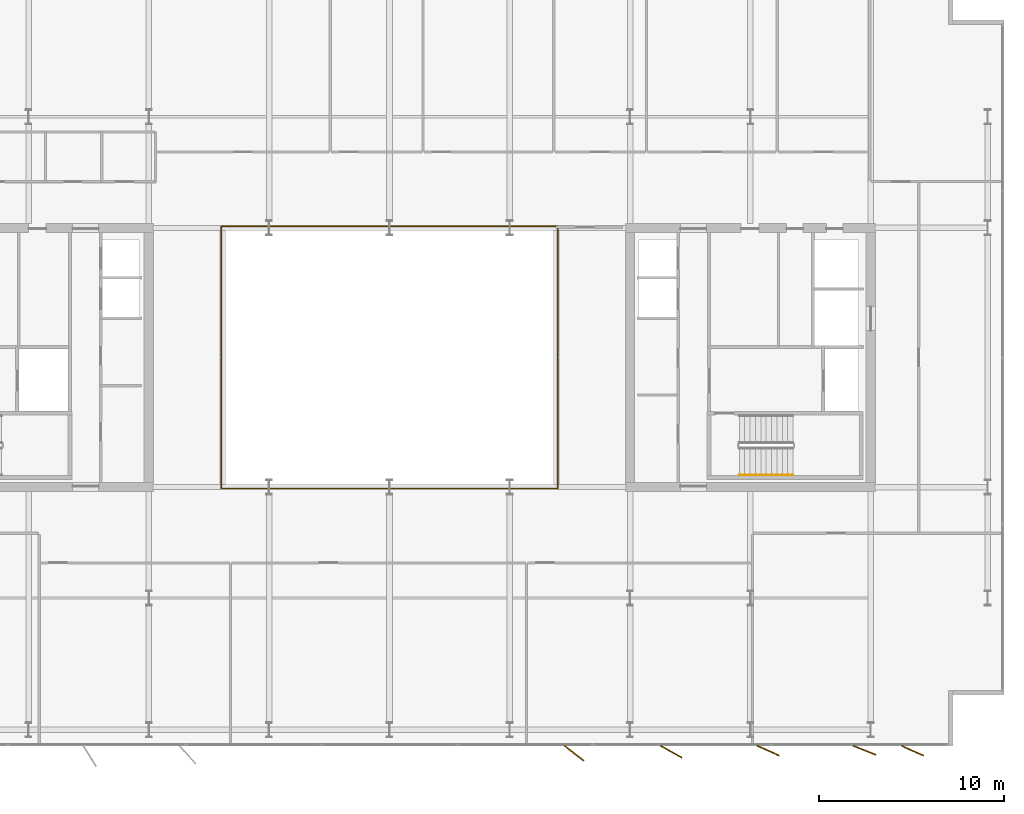
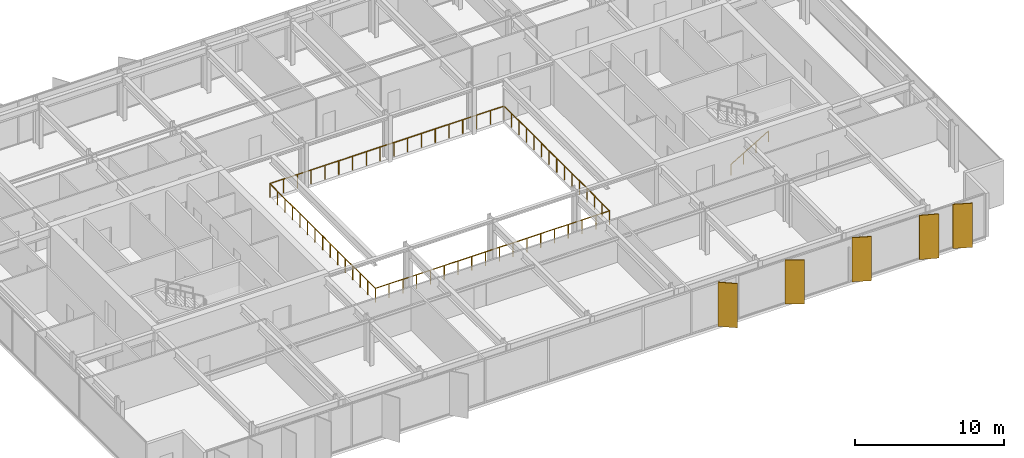
# One storey, part 21 of 23: 5 shading devices, 3 railings.
"""IFC4 building model written with IfcOpenShell, lengths in metres."""

import ifcopenshell
import ifcopenshell.guid

model = None  # the IFC model being written
_history = None  # IfcOwnerHistory: only IFC2X3 demands one
_inside = {}  # id of a spatial element -> (the spatial element, [elements in it])
_under = {}  # id of a project, library or spatial element -> (it, [spatial elements below it])
_declared = {}  # id of a project -> (the project, [libraries it declares])
_typed = {}  # id of a type object -> (the type object, [elements of that type])
_made_of = {}  # id of a material, layer set ... -> (it, [elements and type objects made of it])


def new_model(schema):
    """Start an empty IFC model of exactly this schema.

    Asked for "IFC4X3", IfcOpenShell would pick the latest addendum, in which some entities
    have other attributes; the version numbers below select the first issue.
    IFC2X3 requires an IfcOwnerHistory on every rooted entity: one is made here for all.
    """
    global model, _history
    if schema == "IFC4X3":
        model = ifcopenshell.file(schema_version=(4, 3, 0, 0))
    else:
        model = ifcopenshell.file(schema=schema)
    _inside.clear()
    _under.clear()
    _declared.clear()
    _typed.clear()
    _made_of.clear()
    _history = None
    if model.schema == "IFC2X3":
        org = make("IfcOrganization", Name="unknown")
        user = make(
            "IfcPersonAndOrganization",
            ThePerson=make("IfcPerson", FamilyName="unknown"),
            TheOrganization=org,
        )
        app = make(
            "IfcApplication",
            ApplicationDeveloper=org,
            Version="unknown",
            ApplicationFullName="unknown",
            ApplicationIdentifier="unknown",
        )
        _history = make(
            "IfcOwnerHistory",
            OwningUser=user,
            OwningApplication=app,
            ChangeAction="ADDED",
            CreationDate=0,
        )
    return model


def make(cls, **values):
    """One entity of the class cls with the attributes given. An attribute that is None is left unset."""
    return model.create_entity(
        cls, **{name: value for name, value in values.items() if value is not None}
    )


def rooted(cls, **values):
    """An entity with a GlobalId (a new one), such as an element, a storey or a relation."""
    return make(cls, GlobalId=ifcopenshell.guid.new(), OwnerHistory=_history, **values)


def si_unit(unit_type, name, prefix=None):
    """IfcSIUnit, for example si_unit("LENGTHUNIT", "METRE", prefix="MILLI")."""
    return make("IfcSIUnit", UnitType=unit_type, Prefix=prefix, Name=name)


def assignment(units):
    """IfcUnitAssignment: the units of a project."""
    return None if units is None else make("IfcUnitAssignment", Units=units)


def point(xyz):
    """IfcCartesianPoint."""
    return None if xyz is None else make("IfcCartesianPoint", Coordinates=xyz)


def direction(xyz):
    """IfcDirection."""
    return None if xyz is None else make("IfcDirection", DirectionRatios=xyz)


def frame(location, z_axis=None, x_axis=None):
    """IfcAxis2Placement3D, a coordinate frame: its origin and axes. An axis left out is left unset."""
    return make(
        "IfcAxis2Placement3D",
        Location=point(location),
        Axis=direction(z_axis),
        RefDirection=direction(x_axis),
    )


def frame_2d(location, x_axis=None):
    """IfcAxis2Placement2D, a coordinate frame in the plane: its origin and x axis."""
    return make(
        "IfcAxis2Placement2D", Location=point(location), RefDirection=direction(x_axis)
    )


def origin():
    """The frame at (0, 0, 0) with its axes left unset."""
    return frame((0.0, 0.0, 0.0))


def origin_2d():
    """The frame at (0, 0) in the plane with its x axis left unset."""
    return frame_2d((0.0, 0.0))


def place(relative_to, where):
    """IfcLocalPlacement: puts the frame where relative to a parent placement (None: the world)."""
    return make(
        "IfcLocalPlacement", PlacementRelTo=relative_to, RelativePlacement=where
    )


def context(
    kind, dimensions, precision=None, world=None, true_north=None, identifier=None
):
    """IfcGeometricRepresentationContext, for example the 3D "Model" context."""
    return make(
        "IfcGeometricRepresentationContext",
        ContextIdentifier=identifier,
        ContextType=kind,
        CoordinateSpaceDimension=dimensions,
        Precision=precision,
        WorldCoordinateSystem=world,
        TrueNorth=true_north,
    )


def subcontext(parent, identifier, kind, view, scale=None):
    """IfcGeometricRepresentationSubContext, for example "Body" below "Model"."""
    return make(
        "IfcGeometricRepresentationSubContext",
        ContextIdentifier=identifier,
        ContextType=kind,
        ParentContext=parent,
        TargetScale=scale,
        TargetView=view,
    )


def project(units=None, contexts=None):
    """IfcProject with its units and contexts."""
    return rooted(
        "IfcProject",
        Name="project",
        RepresentationContexts=contexts,
        UnitsInContext=assignment(units),
    )


def spatial(cls, under=None, at=None, **own):
    """A site, building, storey or space (cls), placed at a placement, below another one or the project."""
    s = rooted(cls, ObjectPlacement=at, **own)
    if under is not None:
        _under.setdefault(under.id(), (under, []))[1].append(s)
    return s


def profile(cls, at=None, kind="AREA", **sizes):
    """A parametric profile (cls). Its sizes go by their IFC names, for example OverallWidth=200.0."""
    return make(cls, ProfileType=kind, Position=at, **sizes)


def rectangle(**sizes):
    """IfcRectangleProfileDef."""
    return profile("IfcRectangleProfileDef", **sizes)


def circle(**sizes):
    """IfcCircleProfileDef."""
    return profile("IfcCircleProfileDef", **sizes)


def extrude(swept, where, along, depth):
    """IfcExtrudedAreaSolid: the profile swept, set in the frame where, extruded along a direction by depth."""
    return make(
        "IfcExtrudedAreaSolid",
        SweptArea=swept,
        Position=where,
        ExtrudedDirection=direction(along),
        Depth=depth,
    )


def shape(context_of_items, identifier, shape_type, items):
    """IfcShapeRepresentation: the items that make up one representation, for example the "Body"."""
    return make(
        "IfcShapeRepresentation",
        ContextOfItems=context_of_items,
        RepresentationIdentifier=identifier,
        RepresentationType=shape_type,
        Items=items,
    )


def material(Name=None, Category=None):
    """IfcMaterial."""
    return make("IfcMaterial", Name=Name, Category=Category)


def layer(
    of_material, thickness, ventilated=None, Name=None, Category=None, Priority=None
):
    """IfcMaterialLayer: one layer of a wall or slab, of a material (None: an air gap)."""
    return make(
        "IfcMaterialLayer",
        Material=of_material,
        LayerThickness=thickness,
        IsVentilated=ventilated,
        Name=Name,
        Category=Category,
        Priority=Priority,
    )


def layer_set(layers, Name=None):
    """IfcMaterialLayerSet."""
    return make("IfcMaterialLayerSet", MaterialLayers=layers, LayerSetName=Name)


def made_of(thing, what):
    """Note that an element or type object is made of a material, layer set ...; save() writes the relation."""
    if what is not None:
        _made_of.setdefault(what.id(), (what, []))[1].append(thing)
    return thing


def type_object(cls, material=None, **own):
    """A type object (cls), such as IfcWallType, which elements share."""
    return made_of(rooted(cls, **own), material)


def element(
    cls,
    number,
    at=None,
    inside=None,
    cuts=None,
    type_object=None,
    material=None,
    context=None,
    identifier="Body",
    shape_type=None,
    held_by="IfcProductDefinitionShape",
    body=None,
    shapes=None,
    **own,
):
    """One element of the class cls, such as IfcWall. Its Tag is "e" and its number.

    at: its placement. inside: the storey or other place that contains it. cuts: it is an
    opening in that element (IfcRelVoidsElement). A single representation is given by context,
    identifier, shape_type and body (its items); several are given by shapes. held_by: the class
    of the entity that holds the representations. save() writes the other relations.
    """
    e = rooted(cls, Tag="e%d" % number, ObjectPlacement=at, **own)
    if body is not None:
        shapes = [shape(context, identifier, shape_type, body)]
    if shapes is not None:
        e.Representation = make(held_by, Representations=shapes)
    if inside is not None:
        _inside.setdefault(inside.id(), (inside, []))[1].append(e)
    if cuts is not None:
        rooted(
            "IfcRelVoidsElement", RelatingBuildingElement=cuts, RelatedOpeningElement=e
        )
    if type_object is not None:
        _typed.setdefault(type_object.id(), (type_object, []))[1].append(e)
    return made_of(e, material)


def aggregate(whole, parts):
    """IfcRelAggregates: a whole, such as a stair, and the parts it consists of."""
    return rooted("IfcRelAggregates", RelatingObject=whole, RelatedObjects=parts)


def save(model, path):
    """Write the relations noted so far, then the file.

    IfcRelAggregates (storeys below a building ...), IfcRelContainedInSpatialStructure (elements
    in a storey), IfcRelDefinesByType, IfcRelAssociatesMaterial and IfcRelDeclares: one each for
    every whole, place, type object, material and project.
    """
    for whole, parts in _under.values():
        aggregate(whole, parts)
    for where, things in _inside.values():
        rooted(
            "IfcRelContainedInSpatialStructure",
            RelatedElements=things,
            RelatingStructure=where,
        )
    for kind, things in _typed.values():
        rooted("IfcRelDefinesByType", RelatedObjects=things, RelatingType=kind)
    for what, things in _made_of.values():
        rooted("IfcRelAssociatesMaterial", RelatedObjects=things, RelatingMaterial=what)
    for by, libraries in _declared.values():
        rooted("IfcRelDeclares", RelatingContext=by, RelatedDefinitions=libraries)
    model.write(path)


model = new_model("IFC4")

# Units and contexts
model_context = context("Model", 3, precision=1e-05, world=origin(), true_north=direction((0.0, 1.0)))
body_context = subcontext(model_context, "Body", "Model", "MODEL_VIEW")
ifc_project = project(units=[si_unit("LENGTHUNIT", "METRE"), si_unit("AREAUNIT", "SQUARE_METRE"), si_unit("VOLUMEUNIT", "CUBIC_METRE"), si_unit("PLANEANGLEUNIT", "RADIAN"), si_unit("MASSUNIT", "GRAM", prefix="KILO")], contexts=[model_context])

# Site, building, storey
site_placement = place(None, origin())
site = spatial("IfcSite", under=ifc_project, at=site_placement, CompositionType="ELEMENT")
building_placement = place(site_placement, origin())
building = spatial("IfcBuilding", under=site, at=building_placement, Name="Putna Gate Headquarters", CompositionType="ELEMENT")
storey_placement = place(building_placement, frame((0.0, 0.0, 229.0)))
storey = spatial("IfcBuildingStorey", under=building, at=storey_placement, Name="L57", CompositionType="ELEMENT", Elevation=229.0)

# Railings
ifc_material_1 = material(Name="Anodised bronze and laminated glass atrium balustrade", Category="glass")
railing_type_1 = type_object("IfcRailingType", Name="RAIL-ATRIUM-GUARD-1150", PredefinedType="GUARDRAIL", material=ifc_material_1)
railing_1_placement = place(storey_placement, frame((29.919921875, 25.969970703125, 0.0)))
element("IfcRailing", 1, at=railing_1_placement, inside=storey, type_object=railing_type_1, Name="L57 Central Atrium Glazed Balustrade South", PredefinedType="GUARDRAIL", context=body_context, shape_type="SweptSolid", body=[
    extrude(circle(Radius=0.02392578125, at=origin_2d()), frame((0.0, 0.0, 1.1259765625), z_axis=(0.0, -1.0, 0.0), x_axis=(1.0, 0.0, 0.0)), (0.0, 0.0, 1.0), 7.050048828125),
    extrude(circle(Radius=0.02392578125, at=origin_2d()), frame((0.0, -7.050048828125, 1.1259765625), z_axis=(1.0, 0.0, 0.0), x_axis=(0.0, 1.0, 0.0)), (0.0, 0.0, 1.0), 18.16015625),
    extrude(circle(Radius=0.02392578125, at=origin_2d()), frame((18.16015625, -7.050048828125, 1.1259765625), z_axis=(0.0, 1.0, 0.0), x_axis=(-1.0, 0.0, 0.0)), (0.0, 0.0, 1.0), 7.050048828125),
    extrude(circle(Radius=0.02099609375, at=origin_2d()), origin(), (0.0, 0.0, 1.0), 1.101806640625),
    extrude(circle(Radius=0.02099609375, at=origin_2d()), frame((0.0, -1.007080078125, 0.0)), (0.0, 0.0, 1.0), 1.101806640625),
    extrude(circle(Radius=0.02099609375, at=origin_2d()), frame((0.0, -2.014404296875, 0.0)), (0.0, 0.0, 1.0), 1.101806640625),
    extrude(circle(Radius=0.02099609375, at=origin_2d()), frame((0.0, -3.021484375, 0.0)), (0.0, 0.0, 1.0), 1.101806640625),
    extrude(circle(Radius=0.02099609375, at=origin_2d()), frame((0.0, -4.028564453125, 0.0)), (0.0, 0.0, 1.0), 1.101806640625),
    extrude(circle(Radius=0.02099609375, at=origin_2d()), frame((0.0, -5.03564453125, 0.0)), (0.0, 0.0, 1.0), 1.101806640625),
    extrude(circle(Radius=0.02099609375, at=origin_2d()), frame((0.0, -6.04296875, 0.0)), (0.0, 0.0, 1.0), 1.101806640625),
    extrude(circle(Radius=0.02099609375, at=origin_2d()), frame((0.0, -7.050048828125, 0.0)), (0.0, 0.0, 1.0), 1.101806640625),
    extrude(circle(Radius=0.02099609375, at=origin_2d()), frame((1.068359375, -7.050048828125, 0.0)), (0.0, 0.0, 1.0), 1.101806640625),
    extrude(circle(Radius=0.02099609375, at=origin_2d()), frame((2.136474609375, -7.050048828125, 0.0)), (0.0, 0.0, 1.0), 1.101806640625),
    extrude(circle(Radius=0.02099609375, at=origin_2d()), frame((3.204833984375, -7.050048828125, 0.0)), (0.0, 0.0, 1.0), 1.101806640625),
    extrude(circle(Radius=0.02099609375, at=origin_2d()), frame((4.27294921875, -7.050048828125, 0.0)), (0.0, 0.0, 1.0), 1.101806640625),
    extrude(circle(Radius=0.02099609375, at=origin_2d()), frame((5.34130859375, -7.050048828125, 0.0)), (0.0, 0.0, 1.0), 1.101806640625),
    extrude(circle(Radius=0.02099609375, at=origin_2d()), frame((6.409423828125, -7.050048828125, 0.0)), (0.0, 0.0, 1.0), 1.101806640625),
    extrude(circle(Radius=0.02099609375, at=origin_2d()), frame((7.477783203125, -7.050048828125, 0.0)), (0.0, 0.0, 1.0), 1.101806640625),
    extrude(circle(Radius=0.02099609375, at=origin_2d()), frame((8.5458984375, -7.050048828125, 0.0)), (0.0, 0.0, 1.0), 1.101806640625),
    extrude(circle(Radius=0.02099609375, at=origin_2d()), frame((9.6142578125, -7.050048828125, 0.0)), (0.0, 0.0, 1.0), 1.101806640625),
    extrude(circle(Radius=0.02099609375, at=origin_2d()), frame((10.682373046875, -7.050048828125, 0.0)), (0.0, 0.0, 1.0), 1.101806640625),
    extrude(circle(Radius=0.02099609375, at=origin_2d()), frame((11.750732421875, -7.050048828125, 0.0)), (0.0, 0.0, 1.0), 1.101806640625),
    extrude(circle(Radius=0.02099609375, at=origin_2d()), frame((12.81884765625, -7.050048828125, 0.0)), (0.0, 0.0, 1.0), 1.101806640625),
    extrude(circle(Radius=0.02099609375, at=origin_2d()), frame((13.88720703125, -7.050048828125, 0.0)), (0.0, 0.0, 1.0), 1.101806640625),
    extrude(circle(Radius=0.02099609375, at=origin_2d()), frame((14.955322265625, -7.050048828125, 0.0)), (0.0, 0.0, 1.0), 1.101806640625),
    extrude(circle(Radius=0.02099609375, at=origin_2d()), frame((16.023681640625, -7.050048828125, 0.0)), (0.0, 0.0, 1.0), 1.101806640625),
    extrude(circle(Radius=0.02099609375, at=origin_2d()), frame((17.091796875, -7.050048828125, 0.0)), (0.0, 0.0, 1.0), 1.101806640625),
    extrude(circle(Radius=0.02099609375, at=origin_2d()), frame((18.16015625, -7.050048828125, 0.0)), (0.0, 0.0, 1.0), 1.101806640625),
    extrude(circle(Radius=0.02099609375, at=origin_2d()), frame((18.16015625, -6.04296875, 0.0)), (0.0, 0.0, 1.0), 1.101806640625),
    extrude(circle(Radius=0.02099609375, at=origin_2d()), frame((18.16015625, -5.03564453125, 0.0)), (0.0, 0.0, 1.0), 1.101806640625),
    extrude(circle(Radius=0.02099609375, at=origin_2d()), frame((18.16015625, -4.028564453125, 0.0)), (0.0, 0.0, 1.0), 1.101806640625),
    extrude(circle(Radius=0.02099609375, at=origin_2d()), frame((18.16015625, -3.021484375, 0.0)), (0.0, 0.0, 1.0), 1.101806640625),
    extrude(circle(Radius=0.02099609375, at=origin_2d()), frame((18.16015625, -2.014404296875, 0.0)), (0.0, 0.0, 1.0), 1.101806640625),
    extrude(circle(Radius=0.02099609375, at=origin_2d()), frame((18.16015625, -1.007080078125, 0.0)), (0.0, 0.0, 1.0), 1.101806640625),
    extrude(circle(Radius=0.02099609375, at=origin_2d()), frame((18.16015625, 0.0, 0.0)), (0.0, 0.0, 1.0), 1.101806640625),
])
railing_2_placement = place(storey_placement, frame((48.080078125, 26.030029296875, 0.0)))
element("IfcRailing", 2, at=railing_2_placement, inside=storey, type_object=railing_type_1, Name="L57 Central Atrium Glazed Balustrade North", PredefinedType="GUARDRAIL", context=body_context, shape_type="SweptSolid", body=[
    extrude(circle(Radius=0.02392578125, at=origin_2d()), frame((0.0, 0.0, 1.1259765625), z_axis=(0.0, 1.0, 0.0), x_axis=(-1.0, 0.0, 0.0)), (0.0, 0.0, 1.0), 7.050048828125),
    extrude(circle(Radius=0.02392578125, at=origin_2d()), frame((0.0, 7.050048828125, 1.1259765625), z_axis=(-1.0, 0.0, 0.0), x_axis=(0.0, -1.0, 0.0)), (0.0, 0.0, 1.0), 18.16015625),
    extrude(circle(Radius=0.02392578125, at=origin_2d()), frame((-18.16015625, 7.050048828125, 1.1259765625), z_axis=(0.0, -1.0, 0.0), x_axis=(1.0, 0.0, 0.0)), (0.0, 0.0, 1.0), 7.050048828125),
    extrude(circle(Radius=0.02099609375, at=origin_2d()), origin(), (0.0, 0.0, 1.0), 1.101806640625),
    extrude(circle(Radius=0.02099609375, at=origin_2d()), frame((0.0, 1.007080078125, 0.0)), (0.0, 0.0, 1.0), 1.101806640625),
    extrude(circle(Radius=0.02099609375, at=origin_2d()), frame((0.0, 2.014404296875, 0.0)), (0.0, 0.0, 1.0), 1.101806640625),
    extrude(circle(Radius=0.02099609375, at=origin_2d()), frame((0.0, 3.021484375, 0.0)), (0.0, 0.0, 1.0), 1.101806640625),
    extrude(circle(Radius=0.02099609375, at=origin_2d()), frame((0.0, 4.028564453125, 0.0)), (0.0, 0.0, 1.0), 1.101806640625),
    extrude(circle(Radius=0.02099609375, at=origin_2d()), frame((0.0, 5.03564453125, 0.0)), (0.0, 0.0, 1.0), 1.101806640625),
    extrude(circle(Radius=0.02099609375, at=origin_2d()), frame((0.0, 6.04296875, 0.0)), (0.0, 0.0, 1.0), 1.101806640625),
    extrude(circle(Radius=0.02099609375, at=origin_2d()), frame((0.0, 7.050048828125, 0.0)), (0.0, 0.0, 1.0), 1.101806640625),
    extrude(circle(Radius=0.02099609375, at=origin_2d()), frame((-1.068359375, 7.050048828125, 0.0)), (0.0, 0.0, 1.0), 1.101806640625),
    extrude(circle(Radius=0.02099609375, at=origin_2d()), frame((-2.136474609375, 7.050048828125, 0.0)), (0.0, 0.0, 1.0), 1.101806640625),
    extrude(circle(Radius=0.02099609375, at=origin_2d()), frame((-3.204833984375, 7.050048828125, 0.0)), (0.0, 0.0, 1.0), 1.101806640625),
    extrude(circle(Radius=0.02099609375, at=origin_2d()), frame((-4.27294921875, 7.050048828125, 0.0)), (0.0, 0.0, 1.0), 1.101806640625),
    extrude(circle(Radius=0.02099609375, at=origin_2d()), frame((-5.34130859375, 7.050048828125, 0.0)), (0.0, 0.0, 1.0), 1.101806640625),
    extrude(circle(Radius=0.02099609375, at=origin_2d()), frame((-6.409423828125, 7.050048828125, 0.0)), (0.0, 0.0, 1.0), 1.101806640625),
    extrude(circle(Radius=0.02099609375, at=origin_2d()), frame((-7.477783203125, 7.050048828125, 0.0)), (0.0, 0.0, 1.0), 1.101806640625),
    extrude(circle(Radius=0.02099609375, at=origin_2d()), frame((-8.5458984375, 7.050048828125, 0.0)), (0.0, 0.0, 1.0), 1.101806640625),
    extrude(circle(Radius=0.02099609375, at=origin_2d()), frame((-9.6142578125, 7.050048828125, 0.0)), (0.0, 0.0, 1.0), 1.101806640625),
    extrude(circle(Radius=0.02099609375, at=origin_2d()), frame((-10.682373046875, 7.050048828125, 0.0)), (0.0, 0.0, 1.0), 1.101806640625),
    extrude(circle(Radius=0.02099609375, at=origin_2d()), frame((-11.750732421875, 7.050048828125, 0.0)), (0.0, 0.0, 1.0), 1.101806640625),
    extrude(circle(Radius=0.02099609375, at=origin_2d()), frame((-12.81884765625, 7.050048828125, 0.0)), (0.0, 0.0, 1.0), 1.101806640625),
    extrude(circle(Radius=0.02099609375, at=origin_2d()), frame((-13.88720703125, 7.050048828125, 0.0)), (0.0, 0.0, 1.0), 1.101806640625),
    extrude(circle(Radius=0.02099609375, at=origin_2d()), frame((-14.955322265625, 7.050048828125, 0.0)), (0.0, 0.0, 1.0), 1.101806640625),
    extrude(circle(Radius=0.02099609375, at=origin_2d()), frame((-16.023681640625, 7.050048828125, 0.0)), (0.0, 0.0, 1.0), 1.101806640625),
    extrude(circle(Radius=0.02099609375, at=origin_2d()), frame((-17.091796875, 7.050048828125, 0.0)), (0.0, 0.0, 1.0), 1.101806640625),
    extrude(circle(Radius=0.02099609375, at=origin_2d()), frame((-18.16015625, 7.050048828125, 0.0)), (0.0, 0.0, 1.0), 1.101806640625),
    extrude(circle(Radius=0.02099609375, at=origin_2d()), frame((-18.16015625, 6.04296875, 0.0)), (0.0, 0.0, 1.0), 1.101806640625),
    extrude(circle(Radius=0.02099609375, at=origin_2d()), frame((-18.16015625, 5.03564453125, 0.0)), (0.0, 0.0, 1.0), 1.101806640625),
    extrude(circle(Radius=0.02099609375, at=origin_2d()), frame((-18.16015625, 4.028564453125, 0.0)), (0.0, 0.0, 1.0), 1.101806640625),
    extrude(circle(Radius=0.02099609375, at=origin_2d()), frame((-18.16015625, 3.021484375, 0.0)), (0.0, 0.0, 1.0), 1.101806640625),
    extrude(circle(Radius=0.02099609375, at=origin_2d()), frame((-18.16015625, 2.014404296875, 0.0)), (0.0, 0.0, 1.0), 1.101806640625),
    extrude(circle(Radius=0.02099609375, at=origin_2d()), frame((-18.16015625, 1.007080078125, 0.0)), (0.0, 0.0, 1.0), 1.101806640625),
    extrude(circle(Radius=0.02099609375, at=origin_2d()), frame((-18.16015625, 0.0, 0.0)), (0.0, 0.0, 1.0), 1.101806640625),
])
ifc_material_2 = material(Name="Brushed stainless steel handrail", Category="steel")
railing_type_2 = type_object("IfcRailingType", Name="RAIL-STAIR-HAND-900", PredefinedType="HANDRAIL", material=ifc_material_2)
railing_3_placement = place(storey_placement, frame((57.89990234375, 19.64990234375, 0.172607421875)))
element("IfcRailing", 3, at=railing_3_placement, inside=storey, type_object=railing_type_2, Name="L57 ST2 stair handrail 1", PredefinedType="HANDRAIL", context=body_context, shape_type="SweptSolid", body=[
    extrude(circle(Radius=0.02392578125, at=origin_2d()), frame((0.0, 0.0, 0.8759765625), z_axis=(0.859160404282, 0.0, 0.51170636083), x_axis=(0.0, 1.0, 0.0)), (0.0, 0.0, 1.0), 3.37548828125),
    extrude(circle(Radius=0.02099609375, at=origin_2d()), origin(), (0.0, 0.0, 1.0), 0.851806640625),
    extrude(circle(Radius=0.02099609375, at=origin_2d()), frame((0.966796875, 0.0, 0.57568359375)), (0.0, 0.0, 1.0), 0.851806640625),
    extrude(circle(Radius=0.02099609375, at=origin_2d()), frame((1.933349609375, 0.0, 1.151611328125)), (0.0, 0.0, 1.0), 0.851806640625),
    extrude(circle(Radius=0.02099609375, at=origin_2d()), frame((2.900146484375, 0.0, 1.727294921875)), (0.0, 0.0, 1.0), 0.851806640625),
])

# Shading devices
ifc_material_3 = material(Name="Anodised architectural bronze aluminium fin", Category="aluminium")
ifc_layer = layer(ifc_material_3, 0.06494140625)
ifc_layer_set = layer_set([ifc_layer], Name="Anodised architectural bronze aluminium fin")
shading_device_type = type_object("IfcShadingDeviceType", Name="SHADE-BRONZE-FIN-1320", PredefinedType="USERDEFINED", material=ifc_layer_set)
for number, where, z_axis, x_axis, name in (
    (4, (48.9697265625, 4.6181640625, -0.02001953125), (0.0, 0.0, 1.0), (0.787473187632, -0.616348909921, 0.0), "L57 Bronze Vertical Shading Fin S7"),
    (5, (54.223876953125, 4.69873046875, -0.02001953125), (0.0, 0.0, 1.0), (0.869322458298, -0.494245347472, 0.0), "L57 Bronze Vertical Shading Fin S8"),
    (6, (59.452880859375, 4.7568359375, -0.02001953125), (0.0, 0.0, 1.0), (0.913687379856, -0.40641773078, 0.0), "L57 Bronze Vertical Shading Fin S9"),
    (7, (64.661865234375, 4.77783203125, -0.02001953125), (0.0, 0.0, 1.0), (0.927183854567, -0.374606593416, 0.0), "L57 Bronze Vertical Shading Fin S10"),
    (8, (67.2529296875, 4.7568359375, -0.02001953125), (0.0, 0.0, 1.0), (0.913687379856, -0.40641773078, 0.0), "L57 Bronze Vertical Shading Fin S11"),
):
    element("IfcShadingDevice", number, at=place(storey_placement, frame(where, z_axis=z_axis, x_axis=x_axis)), inside=storey, type_object=shading_device_type, Name=name, ObjectType="FIN", PredefinedType="USERDEFINED", context=body_context, shape_type="SweptSolid", body=[
        extrude(rectangle(XDim=1.320068359375, YDim=0.06494140625, at=origin_2d()), origin(), (0.0, 0.0, 1.0), 3.6201171875),
    ])

save(model, "model.ifc")
